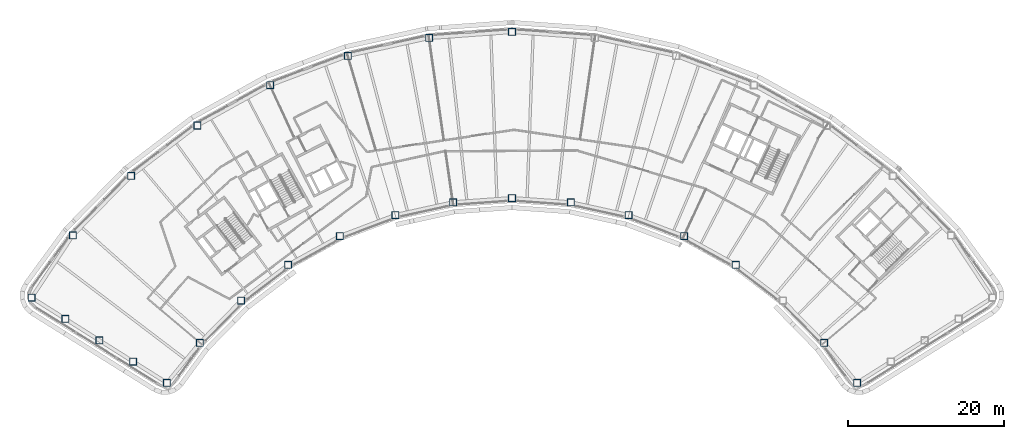
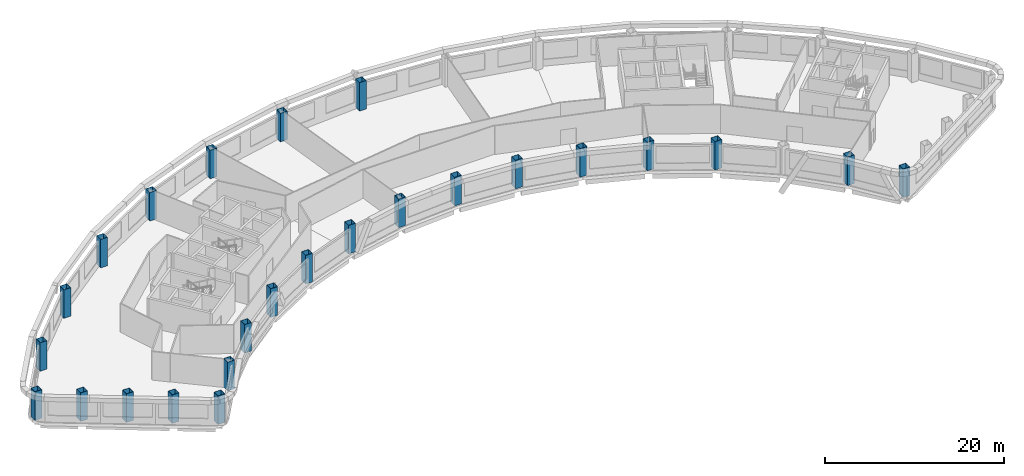
# One storey, part 1 of 12: 25 columns.
"""IFC4 building model written with IfcOpenShell, lengths in metres."""

from ifc_helpers import new_model, si_unit, direction, frame, origin, origin_2d, place, context, subcontext, project, spatial, hollow_rectangle, extrude, material, material_profile, profile_set, type_object, element, save


model = new_model("IFC4")

# Units and contexts
model_context = context("Model", 3, precision=1e-05, world=origin(), true_north=direction((0.0, 1.0)))
body_context = subcontext(model_context, "Body", "Model", "MODEL_VIEW")
ifc_project = project(units=[si_unit("LENGTHUNIT", "METRE"), si_unit("AREAUNIT", "SQUARE_METRE"), si_unit("VOLUMEUNIT", "CUBIC_METRE"), si_unit("PLANEANGLEUNIT", "RADIAN"), si_unit("MASSUNIT", "GRAM", prefix="KILO")], contexts=[model_context])

# Site, building, storey
site_placement = place(None, origin())
site = spatial("IfcSite", under=ifc_project, at=site_placement, CompositionType="ELEMENT")
building_placement = place(site_placement, origin())
building = spatial("IfcBuilding", under=site, at=building_placement, Name="Tuul Gate Civic Tower", CompositionType="ELEMENT")
storey_placement = place(building_placement, frame((0.0, 0.0, 176.300048828125)))
storey = spatial("IfcBuildingStorey", under=building, at=storey_placement, Name="Level 40", CompositionType="ELEMENT", Elevation=176.300048828125)

# Columns
ifc_material = material(Name="Steel S355", Category="steel")
ifc_material_profile = material_profile(ifc_material, hollow_rectangle(XDim=0.89990234375, YDim=0.89990234375, WallThickness=0.031982421875, at=origin_2d()), Name="BOX900x900x32")
ifc_profile_set = profile_set([ifc_material_profile], Name="Steel S355")
column_type = type_object("IfcColumnType", Name="STR-COLUMN-BOX900x900x32", PredefinedType="COLUMN", material=ifc_profile_set)
for number, where, z_axis, x_axis, name in (
    (1, (0.989990234375, 13.615966796875, 0.0), (0.0, 0.0, 1.0), (1.0, 0.0, 0.0), "Column"),
    (2, (-9.659912109375, 12.843994140625, 0.0), (0.0, 0.0, 1.0), (1.0, 0.0, 0.0), "Column"),
    (3, (-20.0869140625, 10.5458984375, 0.0), (0.0, 0.0, 1.0), (1.0, 0.0, 0.0), "Column"),
    (4, (-30.073974609375, 6.77001953125, 0.0), (0.0, 0.0, 1.0), (1.0, 0.0, 0.0), "Column"),
    (5, (-39.412109375, 1.593017578125, 0.0), (0.0, 0.0, 1.0), (1.0, 0.0, 0.0), "Column"),
    (6, (-47.907958984375, -4.875, 0.0), (0.0, 0.0, 1.0), (1.0, 0.0, 0.0), "Column"),
    (7, (-55.382080078125, -12.5, 0.0), (0.0, 0.0, 1.0), (1.0, 0.0, 0.0), "Column"),
    (8, (-60.680908203125, -20.512939453125, 0.0), (0.0, 0.0, 1.0), (1.0, 0.0, 0.0), "Column"),
    (9, (-56.339111328125, -23.2470703125, 0.0), (0.0, 0.0, 1.0), (1.0, 0.0, 0.0), "Column"),
    (10, (-51.99609375, -25.98193359375, 0.0), (0.0, 0.0, 1.0), (1.0, 0.0, 0.0), "Column"),
    (11, (-47.654052734375, -28.716064453125, 0.0), (0.0, 0.0, 1.0), (1.0, 0.0, 0.0), "Column"),
    (12, (-43.31103515625, -31.450927734375, 0.0), (0.0, 0.0, 1.0), (1.0, 0.0, 0.0), "Column"),
    (13, (-39.091064453125, -26.30908203125, 0.0), (0.0, 0.0, 1.0), (1.0, 0.0, 0.0), "Column"),
    (14, (-33.777099609375, -20.886962890625, 0.0), (0.0, 0.0, 1.0), (1.0, 0.0, 0.0), "Column"),
    (15, (-27.737060546875, -16.2880859375, 0.0), (0.0, 0.0, 1.0), (1.0, 0.0, 0.0), "Column"),
    (16, (-21.096923828125, -12.60791015625, 0.0), (0.0, 0.0, 1.0), (1.0, 0.0, 0.0), "Column"),
    (17, (-13.99609375, -9.923095703125, 0.0), (0.0, 0.0, 1.0), (1.0, 0.0, 0.0), "Column"),
    (18, (-6.58203125, -8.2890625, 0.0), (0.0, 0.0, 1.0), (1.0, 0.0, 0.0), "Column"),
    (19, (0.989990234375, -7.739990234375, 0.0), (0.0, 0.0, 1.0), (1.0, 0.0, 0.0), "Column"),
    (20, (8.56201171875, -8.2890625, 0.0), (0.0, 0.0, 1.0), (1.0, 0.0, 0.0), "Column"),
    (21, (15.97607421875, -9.923095703125, 0.0), (0.0, 0.0, 1.0), (1.0, 0.0, 0.0), "Column"),
    (22, (23.076904296875, -12.60791015625, 0.0), (0.0, 0.0, 1.0), (1.0, 0.0, 0.0), "Column"),
    (23, (29.716064453125, -16.2880859375, 0.0), (0.0, 0.0, 1.0), (1.0, 0.0, 0.0), "Column"),
    (24, (41.071044921875, -26.30908203125, 0.0), (0.0, 0.0, 1.0), (1.0, 0.0, 0.0), "Column"),
    (25, (45.291015625, -31.450927734375, 0.0), (0.0, 0.0, 1.0), (1.0, 0.0, 0.0), "Column"),
):
    element("IfcColumn", number, at=place(storey_placement, frame(where, z_axis=z_axis, x_axis=x_axis)), inside=storey, type_object=column_type, Name=name, PredefinedType="COLUMN", context=body_context, shape_type="SweptSolid", body=[
        extrude(hollow_rectangle(XDim=0.89990234375, YDim=0.89990234375, WallThickness=0.031982421875, at=origin_2d()), origin(), (0.0, 0.0, 1.0), 3.89990234375),
    ])

save(model, "model.ifc")
